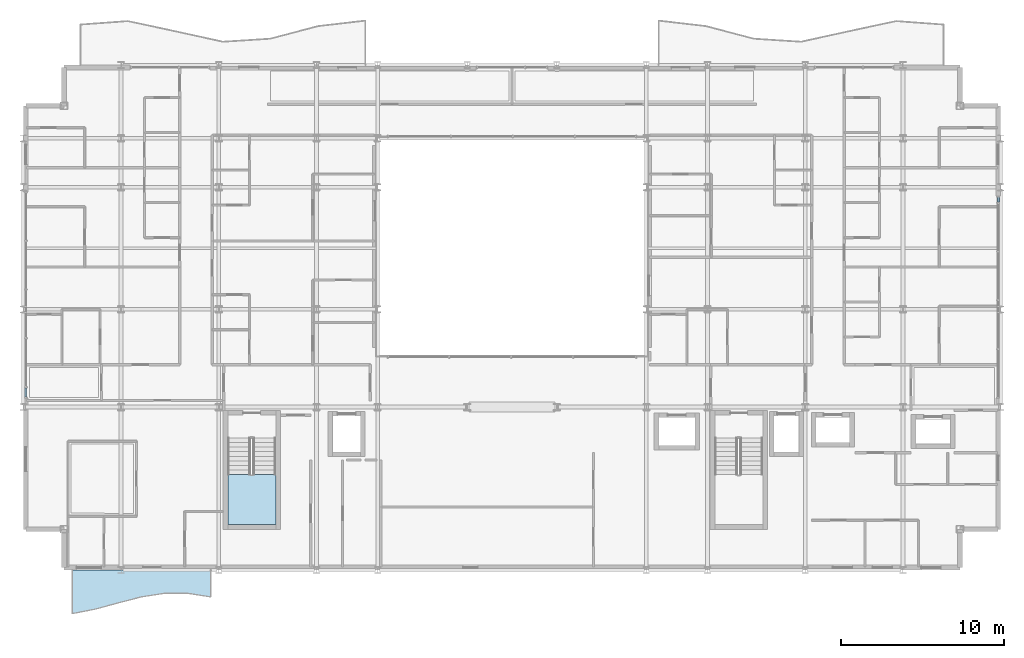
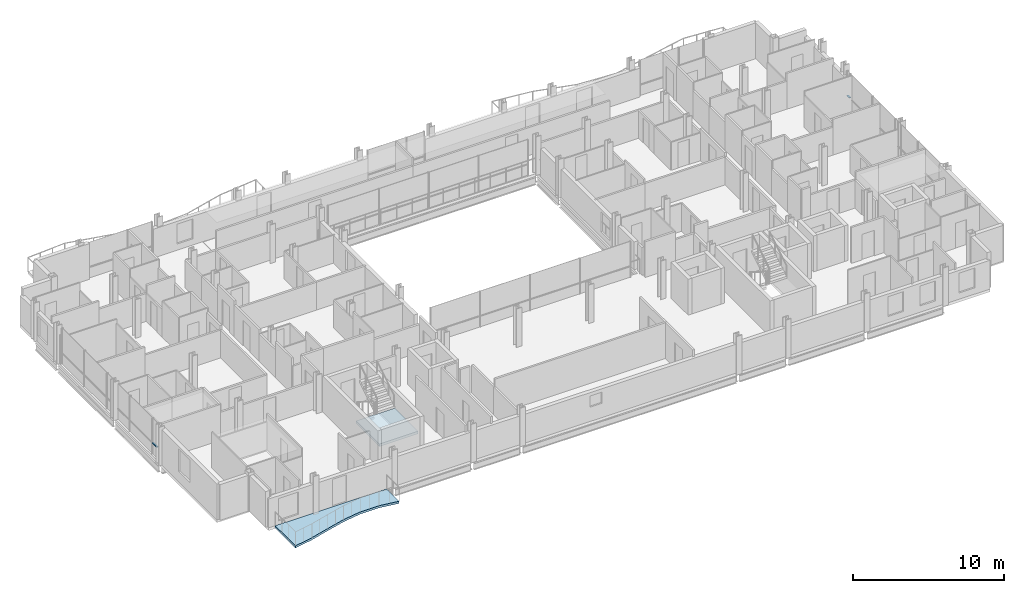
# One storey, part 25 of 41: 2 members, 2 slabs, 3 elements without a shape of their own.
"""IFC4 building model written with IfcOpenShell, lengths in metres."""

from ifc_helpers import new_model, si_unit, direction, frame, origin, origin_2d, place, context, subcontext, project, spatial, polyline, hollow_rectangle, outline, extrude, material, layer, layer_set, material_profile, profile_set, type_object, element, aggregate, save


model = new_model("IFC4")

# Units and contexts
model_context = context("Model", 3, precision=1e-05, world=origin(), true_north=direction((0.0, 1.0)))
body_context = subcontext(model_context, "Body", "Model", "MODEL_VIEW")
ifc_project = project(units=[si_unit("LENGTHUNIT", "METRE"), si_unit("AREAUNIT", "SQUARE_METRE"), si_unit("VOLUMEUNIT", "CUBIC_METRE"), si_unit("PLANEANGLEUNIT", "RADIAN"), si_unit("MASSUNIT", "GRAM", prefix="KILO")], contexts=[model_context])

# Site, building, storey
site_placement = place(None, origin())
site = spatial("IfcSite", under=ifc_project, at=site_placement, CompositionType="ELEMENT")
building_placement = place(site_placement, origin())
building = spatial("IfcBuilding", under=site, at=building_placement, Name="Brevholm Reach", CompositionType="ELEMENT")
storey_placement = place(building_placement, frame((0.0, 0.0, 100.39990234375)))
storey = spatial("IfcBuildingStorey", under=building, at=storey_placement, Name="L29", CompositionType="ELEMENT", Elevation=100.39990234375)

# Curtain wall, member
ifc_material_1 = material(Name="Dark Anodised Aluminium 6063-T6 and Solar-Control Glass", Category="aluminium")
ifc_layer_1 = layer(ifc_material_1, 0.14990234375)
ifc_layer_set_1 = layer_set([ifc_layer_1], Name="Dark Anodised Aluminium 6063-T6 and Solar-Control Glass")
curtain_wall_type = type_object("IfcCurtainWallType", Name="CW-01", PredefinedType="NOTDEFINED", material=ifc_layer_set_1)
curtain_wall_1_placement = place(storey_placement, origin())
curtain_wall_1 = element("IfcCurtainWall", 1, at=curtain_wall_1_placement, inside=storey, type_object=curtain_wall_type, Name="L29 Curtain Wall CW-01", PredefinedType="NOTDEFINED")
ifc_material_2 = material(Name="Dark Anodised Aluminium 6063-T6", Category="aluminium")
ifc_material_profile = material_profile(ifc_material_2, hollow_rectangle(XDim=0.06494140625, YDim=0.14990234375, WallThickness=0.0048828125, InnerFilletRadius=0.0048828125, OuterFilletRadius=0.010009765625, at=origin_2d()), Name="RHS 150x65x5")
ifc_profile_set = profile_set([ifc_material_profile], Name="Dark Anodised Aluminium 6063-T6")
member_type = type_object("IfcMemberType", Name="CWT-150", PredefinedType="NOTDEFINED", material=ifc_profile_set)
member_1_placement = place(storey_placement, frame((0.14990234375, 11.1875, 0.900146484375), z_axis=(0.0, -1.0, 0.0), x_axis=(0.0, 0.0, 1.0)))
member_1 = element("IfcMember", 2, at=member_1_placement, type_object=member_type, Name="CT-150 Transom 5.1", ObjectType="TRANSOM", PredefinedType="USERDEFINED", context=body_context, shape_type="SweptSolid", body=[
    extrude(hollow_rectangle(XDim=0.06494140625, YDim=0.14990234375, WallThickness=0.0048828125, InnerFilletRadius=0.0048828125, OuterFilletRadius=0.010009765625, at=origin_2d()), origin(), (0.0, 0.0, 1.0), 0.572509765625),
])
aggregate(curtain_wall_1, [member_1])

curtain_wall_2_placement = place(storey_placement, origin())
curtain_wall_2 = element("IfcCurtainWall", 3, at=curtain_wall_2_placement, inside=storey, type_object=curtain_wall_type, Name="L29 Curtain Wall CW-01", PredefinedType="NOTDEFINED")
member_2_placement = place(storey_placement, frame((59.85009765625, 22.58251953125, 0.900146484375), z_axis=(0.0, 1.0, 0.0), x_axis=(0.0, 0.0, 1.0)))
member_2 = element("IfcMember", 4, at=member_2_placement, type_object=member_type, Name="CT-150 Transom 5.1", ObjectType="TRANSOM", PredefinedType="USERDEFINED", context=body_context, shape_type="SweptSolid", body=[
    extrude(hollow_rectangle(XDim=0.06494140625, YDim=0.14990234375, WallThickness=0.0048828125, InnerFilletRadius=0.0048828125, OuterFilletRadius=0.010009765625, at=origin_2d()), origin(), (0.0, 0.0, 1.0), 0.302490234375),
])
aggregate(curtain_wall_2, [member_2])

# Slab
ifc_material_3 = material(Name="Precast Concrete C40/50", Category="concrete")
ifc_layer_2 = layer(ifc_material_3, 0.179931640625)
ifc_layer_set_2 = layer_set([ifc_layer_2], Name="Precast Concrete C40/50")
slab_type_1 = type_object("IfcSlabType", Name="SLB-BAL-180", PredefinedType="FLOOR", material=ifc_layer_set_2)
slab_1_placement = place(storey_placement, frame((0.0, 0.0, -0.179931640625)))
element("IfcSlab", 5, at=slab_1_placement, inside=storey, type_object=slab_type_1, Name="L29 Rippling External Balcony SW", PredefinedType="FLOOR", context=body_context, shape_type="SweptSolid", body=[
    extrude(outline(polyline([(3.0, -2.676513671875), (4.416748046875, -2.402099609375), (5.833251953125, -2.01611328125), (7.25, -1.650146484375), (8.666748046875, -1.429443359375), (10.083251953125, -1.429443359375), (11.5, -1.650146484375), (11.5, 0.0), (3.0, 0.0), (3.0, -2.676513671875)])), origin(), (0.0, 0.0, 1.0), 0.179931640625),
])

# Stair, slab
ifc_material_4 = material(Name="Precast Concrete C40/50", Category="concrete")
stair_type = type_object("IfcStairType", Name="STR-ESC-1400", PredefinedType="DOUBLE_RETURN_STAIR", material=ifc_material_4)
stair_placement = place(storey_placement, origin())
stair = element("IfcStair", 6, at=stair_placement, inside=storey, type_object=stair_type, Name="L29 ST-1", PredefinedType="DOUBLE_RETURN_STAIR")
ifc_material_5 = material(Name="Concrete C40/50", Category="concrete")
ifc_layer_3 = layer(ifc_material_5, 0.199951171875)
ifc_layer_set_3 = layer_set([ifc_layer_3], Name="Concrete C40/50")
slab_type_2 = type_object("IfcSlabType", Name="SLB-LND-200", PredefinedType="LANDING", material=ifc_layer_set_3)
slab_2_placement = place(storey_placement, frame((0.0, 0.0, 1.35009765625)))
slab_2 = element("IfcSlab", 7, at=slab_2_placement, type_object=slab_type_2, Name="ST-1 landing 1", PredefinedType="LANDING", context=body_context, shape_type="SweptSolid", body=[
    extrude(outline(polyline([(12.550048828125, 5.860107421875), (12.550048828125, 2.780029296875), (15.5, 2.780029296875), (15.5, 5.860107421875), (12.550048828125, 5.860107421875)])), origin(), (0.0, 0.0, 1.0), 0.199951171875),
])
aggregate(stair, [slab_2])

save(model, "model.ifc")
